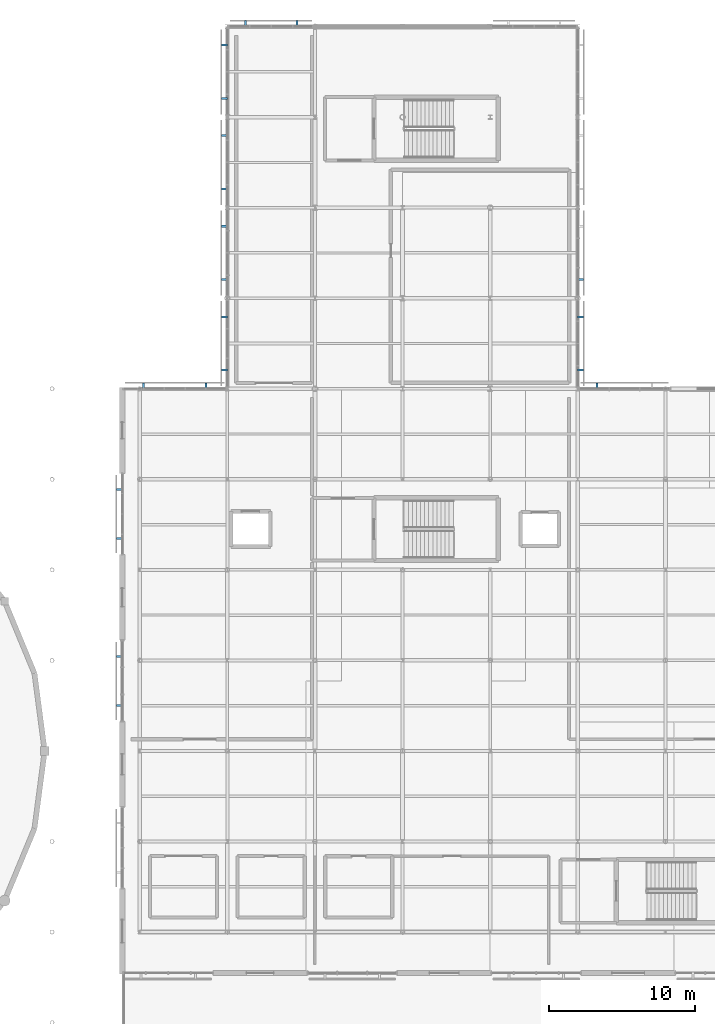
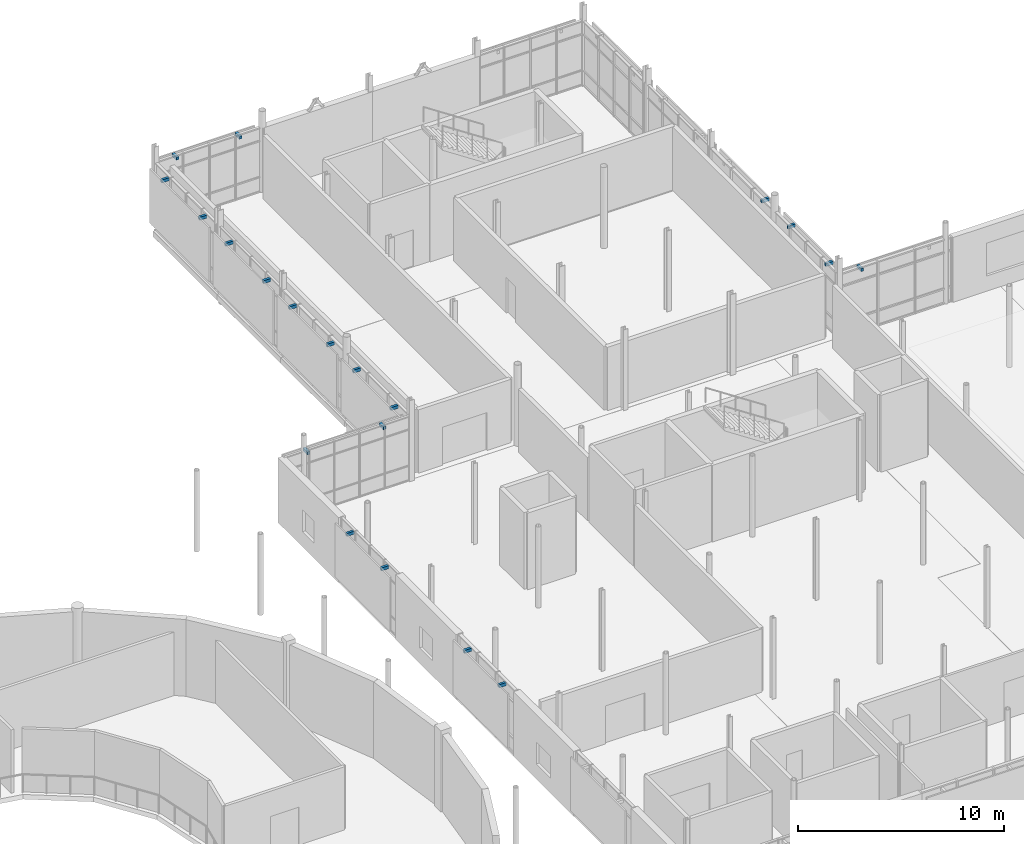
# One storey, part 53 of 66: 20 discrete accessories.
"""IFC4 building model written with IfcOpenShell, lengths in metres."""

import ifcopenshell
import ifcopenshell.guid

model = None  # the IFC model being written
_history = None  # IfcOwnerHistory: only IFC2X3 demands one
_inside = {}  # id of a spatial element -> (the spatial element, [elements in it])
_under = {}  # id of a project, library or spatial element -> (it, [spatial elements below it])
_declared = {}  # id of a project -> (the project, [libraries it declares])
_typed = {}  # id of a type object -> (the type object, [elements of that type])
_made_of = {}  # id of a material, layer set ... -> (it, [elements and type objects made of it])


def new_model(schema):
    """Start an empty IFC model of exactly this schema.

    Asked for "IFC4X3", IfcOpenShell would pick the latest addendum, in which some entities
    have other attributes; the version numbers below select the first issue.
    IFC2X3 requires an IfcOwnerHistory on every rooted entity: one is made here for all.
    """
    global model, _history
    if schema == "IFC4X3":
        model = ifcopenshell.file(schema_version=(4, 3, 0, 0))
    else:
        model = ifcopenshell.file(schema=schema)
    _inside.clear()
    _under.clear()
    _declared.clear()
    _typed.clear()
    _made_of.clear()
    _history = None
    if model.schema == "IFC2X3":
        org = make("IfcOrganization", Name="unknown")
        user = make(
            "IfcPersonAndOrganization",
            ThePerson=make("IfcPerson", FamilyName="unknown"),
            TheOrganization=org,
        )
        app = make(
            "IfcApplication",
            ApplicationDeveloper=org,
            Version="unknown",
            ApplicationFullName="unknown",
            ApplicationIdentifier="unknown",
        )
        _history = make(
            "IfcOwnerHistory",
            OwningUser=user,
            OwningApplication=app,
            ChangeAction="ADDED",
            CreationDate=0,
        )
    return model


def make(cls, **values):
    """One entity of the class cls with the attributes given. An attribute that is None is left unset."""
    return model.create_entity(
        cls, **{name: value for name, value in values.items() if value is not None}
    )


def rooted(cls, **values):
    """An entity with a GlobalId (a new one), such as an element, a storey or a relation."""
    return make(cls, GlobalId=ifcopenshell.guid.new(), OwnerHistory=_history, **values)


def si_unit(unit_type, name, prefix=None):
    """IfcSIUnit, for example si_unit("LENGTHUNIT", "METRE", prefix="MILLI")."""
    return make("IfcSIUnit", UnitType=unit_type, Prefix=prefix, Name=name)


def assignment(units):
    """IfcUnitAssignment: the units of a project."""
    return None if units is None else make("IfcUnitAssignment", Units=units)


def point(xyz):
    """IfcCartesianPoint."""
    return None if xyz is None else make("IfcCartesianPoint", Coordinates=xyz)


def direction(xyz):
    """IfcDirection."""
    return None if xyz is None else make("IfcDirection", DirectionRatios=xyz)


def frame(location, z_axis=None, x_axis=None):
    """IfcAxis2Placement3D, a coordinate frame: its origin and axes. An axis left out is left unset."""
    return make(
        "IfcAxis2Placement3D",
        Location=point(location),
        Axis=direction(z_axis),
        RefDirection=direction(x_axis),
    )


def frame_2d(location, x_axis=None):
    """IfcAxis2Placement2D, a coordinate frame in the plane: its origin and x axis."""
    return make(
        "IfcAxis2Placement2D", Location=point(location), RefDirection=direction(x_axis)
    )


def origin():
    """The frame at (0, 0, 0) with its axes left unset."""
    return frame((0.0, 0.0, 0.0))


def origin_2d():
    """The frame at (0, 0) in the plane with its x axis left unset."""
    return frame_2d((0.0, 0.0))


def place(relative_to, where):
    """IfcLocalPlacement: puts the frame where relative to a parent placement (None: the world)."""
    return make(
        "IfcLocalPlacement", PlacementRelTo=relative_to, RelativePlacement=where
    )


def context(
    kind, dimensions, precision=None, world=None, true_north=None, identifier=None
):
    """IfcGeometricRepresentationContext, for example the 3D "Model" context."""
    return make(
        "IfcGeometricRepresentationContext",
        ContextIdentifier=identifier,
        ContextType=kind,
        CoordinateSpaceDimension=dimensions,
        Precision=precision,
        WorldCoordinateSystem=world,
        TrueNorth=true_north,
    )


def subcontext(parent, identifier, kind, view, scale=None):
    """IfcGeometricRepresentationSubContext, for example "Body" below "Model"."""
    return make(
        "IfcGeometricRepresentationSubContext",
        ContextIdentifier=identifier,
        ContextType=kind,
        ParentContext=parent,
        TargetScale=scale,
        TargetView=view,
    )


def project(units=None, contexts=None):
    """IfcProject with its units and contexts."""
    return rooted(
        "IfcProject",
        Name="project",
        RepresentationContexts=contexts,
        UnitsInContext=assignment(units),
    )


def spatial(cls, under=None, at=None, **own):
    """A site, building, storey or space (cls), placed at a placement, below another one or the project."""
    s = rooted(cls, ObjectPlacement=at, **own)
    if under is not None:
        _under.setdefault(under.id(), (under, []))[1].append(s)
    return s


def profile(cls, at=None, kind="AREA", **sizes):
    """A parametric profile (cls). Its sizes go by their IFC names, for example OverallWidth=200.0."""
    return make(cls, ProfileType=kind, Position=at, **sizes)


def rectangle(**sizes):
    """IfcRectangleProfileDef."""
    return profile("IfcRectangleProfileDef", **sizes)


def extrude(swept, where, along, depth):
    """IfcExtrudedAreaSolid: the profile swept, set in the frame where, extruded along a direction by depth."""
    return make(
        "IfcExtrudedAreaSolid",
        SweptArea=swept,
        Position=where,
        ExtrudedDirection=direction(along),
        Depth=depth,
    )


def shape(context_of_items, identifier, shape_type, items):
    """IfcShapeRepresentation: the items that make up one representation, for example the "Body"."""
    return make(
        "IfcShapeRepresentation",
        ContextOfItems=context_of_items,
        RepresentationIdentifier=identifier,
        RepresentationType=shape_type,
        Items=items,
    )


def material(Name=None, Category=None):
    """IfcMaterial."""
    return make("IfcMaterial", Name=Name, Category=Category)


def made_of(thing, what):
    """Note that an element or type object is made of a material, layer set ...; save() writes the relation."""
    if what is not None:
        _made_of.setdefault(what.id(), (what, []))[1].append(thing)
    return thing


def type_object(cls, material=None, **own):
    """A type object (cls), such as IfcWallType, which elements share."""
    return made_of(rooted(cls, **own), material)


def element(
    cls,
    number,
    at=None,
    inside=None,
    cuts=None,
    type_object=None,
    material=None,
    context=None,
    identifier="Body",
    shape_type=None,
    held_by="IfcProductDefinitionShape",
    body=None,
    shapes=None,
    **own,
):
    """One element of the class cls, such as IfcWall. Its Tag is "e" and its number.

    at: its placement. inside: the storey or other place that contains it. cuts: it is an
    opening in that element (IfcRelVoidsElement). A single representation is given by context,
    identifier, shape_type and body (its items); several are given by shapes. held_by: the class
    of the entity that holds the representations. save() writes the other relations.
    """
    e = rooted(cls, Tag="e%d" % number, ObjectPlacement=at, **own)
    if body is not None:
        shapes = [shape(context, identifier, shape_type, body)]
    if shapes is not None:
        e.Representation = make(held_by, Representations=shapes)
    if inside is not None:
        _inside.setdefault(inside.id(), (inside, []))[1].append(e)
    if cuts is not None:
        rooted(
            "IfcRelVoidsElement", RelatingBuildingElement=cuts, RelatedOpeningElement=e
        )
    if type_object is not None:
        _typed.setdefault(type_object.id(), (type_object, []))[1].append(e)
    return made_of(e, material)


def aggregate(whole, parts):
    """IfcRelAggregates: a whole, such as a stair, and the parts it consists of."""
    return rooted("IfcRelAggregates", RelatingObject=whole, RelatedObjects=parts)


def save(model, path):
    """Write the relations noted so far, then the file.

    IfcRelAggregates (storeys below a building ...), IfcRelContainedInSpatialStructure (elements
    in a storey), IfcRelDefinesByType, IfcRelAssociatesMaterial and IfcRelDeclares: one each for
    every whole, place, type object, material and project.
    """
    for whole, parts in _under.values():
        aggregate(whole, parts)
    for where, things in _inside.values():
        rooted(
            "IfcRelContainedInSpatialStructure",
            RelatedElements=things,
            RelatingStructure=where,
        )
    for kind, things in _typed.values():
        rooted("IfcRelDefinesByType", RelatedObjects=things, RelatingType=kind)
    for what, things in _made_of.values():
        rooted("IfcRelAssociatesMaterial", RelatedObjects=things, RelatingMaterial=what)
    for by, libraries in _declared.values():
        rooted("IfcRelDeclares", RelatingContext=by, RelatedDefinitions=libraries)
    model.write(path)


model = new_model("IFC4")

# Units and contexts
model_context = context("Model", 3, precision=1e-05, world=origin(), true_north=direction((0.0, 1.0)))
body_context = subcontext(model_context, "Body", "Model", "MODEL_VIEW")
ifc_project = project(units=[si_unit("LENGTHUNIT", "METRE"), si_unit("AREAUNIT", "SQUARE_METRE"), si_unit("VOLUMEUNIT", "CUBIC_METRE"), si_unit("PLANEANGLEUNIT", "RADIAN"), si_unit("MASSUNIT", "GRAM", prefix="KILO")], contexts=[model_context])

# Site, building, storey
site_placement = place(None, origin())
site = spatial("IfcSite", under=ifc_project, at=site_placement, CompositionType="ELEMENT")
building_placement = place(site_placement, origin())
building = spatial("IfcBuilding", under=site, at=building_placement, Name="Mirzam Square Science Centre", CompositionType="ELEMENT")
storey_placement = place(building_placement, frame((0.0, 0.0, 15.60009765625)))
storey = spatial("IfcBuildingStorey", under=building, at=storey_placement, Name="L03", CompositionType="ELEMENT", Elevation=15.60009765625)

# Discrete accessories
ifc_material = material(Name="Steel S355", Category="steel")
discrete_accessory_type = type_object("IfcDiscreteAccessoryType", Name="BRK-BRISE-STEEL", PredefinedType="BRACKET", material=ifc_material)
for number, where, z_axis, x_axis, name in (
    (1, (139.31298828125, 86.989990234375, 3.5), (0.0, 0.0, 1.0), (-1.0, 0.0, 0.0), "L03 brise-soleil support bracket 121"),
    (2, (112.527099609375, 86.989990234375, 3.5), (0.0, 0.0, 1.0), (-1.0, 0.0, 0.0), "L03 brise-soleil support bracket 122"),
    (3, (108.27294921875, 86.989990234375, 3.5), (0.0, 0.0, 1.0), (-1.0, 0.0, 0.0), "L03 brise-soleil support bracket 122"),
    (4, (106.610107421875, 79.909912109375, 3.5), (0.0, 0.0, 1.0), (0.0, -1.0, 0.0), "L03 brise-soleil support bracket 123"),
    (5, (106.610107421875, 76.54736328125, 3.5), (0.0, 0.0, 1.0), (0.0, -1.0, 0.0), "L03 brise-soleil support bracket 123"),
    (6, (106.610107421875, 68.481201171875, 3.5), (0.0, 0.0, 1.0), (0.0, -1.0, 0.0), "L03 brise-soleil support bracket 124"),
    (7, (106.610107421875, 65.11865234375, 3.5), (0.0, 0.0, 1.0), (0.0, -1.0, 0.0), "L03 brise-soleil support bracket 124"),
    (8, (118.76708984375, 111.7900390625, 3.5), (0.0, 0.0, 1.0), (-1.0, 0.0, 0.0), "L03 brise-soleil support bracket 126"),
    (9, (115.23291015625, 111.7900390625, 3.5), (0.0, 0.0, 1.0), (-1.0, 0.0, 0.0), "L03 brise-soleil support bracket 126"),
    (10, (113.81005859375, 91.72705078125, 3.5), (0.0, 0.0, 1.0), (0.0, -1.0, 0.0), "L03 brise-soleil support bracket 128"),
    (11, (113.81005859375, 88.072998046875, 3.5), (0.0, 0.0, 1.0), (0.0, -1.0, 0.0), "L03 brise-soleil support bracket 128"),
    (12, (138.18994140625, 88.072998046875, 3.5), (0.0, 0.0, 1.0), (0.0, 1.0, 0.0), "L03 brise-soleil support bracket 129"),
    (13, (138.18994140625, 91.72705078125, 3.5), (0.0, 0.0, 1.0), (0.0, 1.0, 0.0), "L03 brise-soleil support bracket 129"),
    (14, (113.81005859375, 97.927001953125, 3.5), (0.0, 0.0, 1.0), (0.0, -1.0, 0.0), "L03 brise-soleil support bracket 130"),
    (15, (113.81005859375, 94.27294921875, 3.5), (0.0, 0.0, 1.0), (0.0, -1.0, 0.0), "L03 brise-soleil support bracket 130"),
    (16, (138.18994140625, 94.27294921875, 3.5), (0.0, 0.0, 1.0), (0.0, 1.0, 0.0), "L03 brise-soleil support bracket 131"),
    (17, (113.81005859375, 104.126953125, 3.5), (0.0, 0.0, 1.0), (0.0, -1.0, 0.0), "L03 brise-soleil support bracket 132"),
    (18, (113.81005859375, 100.472900390625, 3.5), (0.0, 0.0, 1.0), (0.0, -1.0, 0.0), "L03 brise-soleil support bracket 132"),
    (19, (113.81005859375, 110.326904296875, 3.5), (0.0, 0.0, 1.0), (0.0, -1.0, 0.0), "L03 brise-soleil support bracket 134"),
    (20, (113.81005859375, 106.673095703125, 3.5), (0.0, 0.0, 1.0), (0.0, -1.0, 0.0), "L03 brise-soleil support bracket 134"),
):
    element("IfcDiscreteAccessory", number, at=place(storey_placement, frame(where, z_axis=z_axis, x_axis=x_axis)), inside=storey, type_object=discrete_accessory_type, Name=name, PredefinedType="BRACKET", context=body_context, shape_type="SweptSolid", body=[
        extrude(rectangle(XDim=0.139892578125, YDim=0.419921875, at=origin_2d()), origin(), (0.0, 0.0, 1.0), 0.179931640625),
    ])

save(model, "model.ifc")
